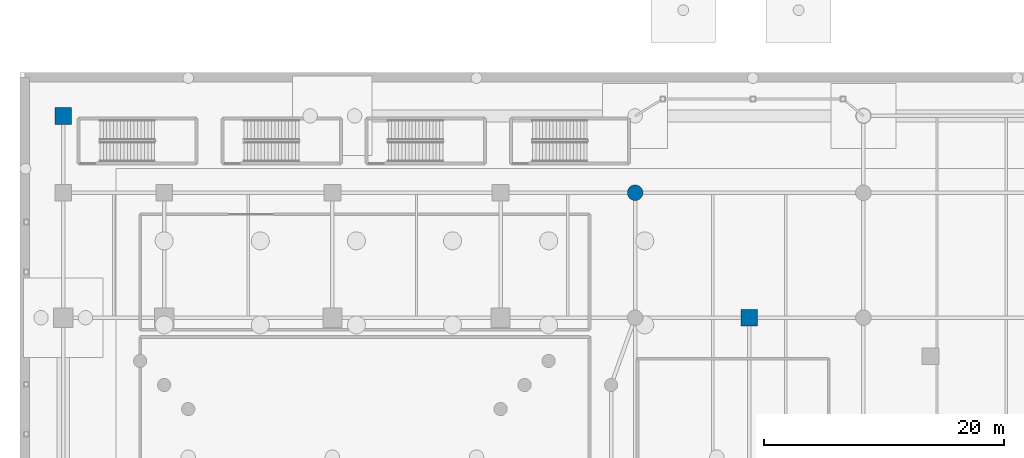
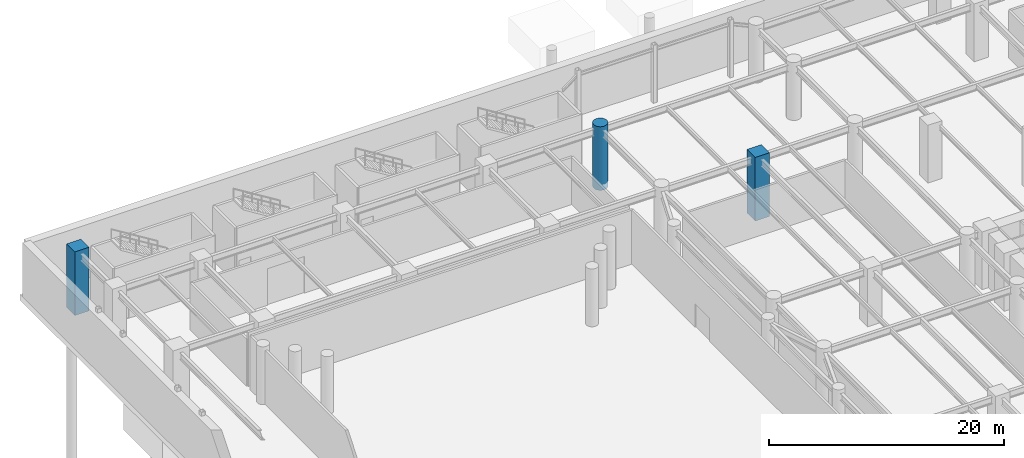
# One storey, part 9 of 37: 3 columns.
"""IFC4 building model written with IfcOpenShell, lengths in metres."""

from ifc_helpers import new_model, si_unit, direction, frame, origin, origin_2d, place, context, subcontext, project, spatial, rectangle, circle, extrude, material, material_profile, profile_set, type_object, element, save


model = new_model("IFC4")

# Units and contexts
model_context = context("Model", 3, precision=1e-05, world=origin(), true_north=direction((0.0, 1.0)))
body_context = subcontext(model_context, "Body", "Model", "MODEL_VIEW")
ifc_project = project(units=[si_unit("LENGTHUNIT", "METRE"), si_unit("AREAUNIT", "SQUARE_METRE"), si_unit("VOLUMEUNIT", "CUBIC_METRE"), si_unit("PLANEANGLEUNIT", "RADIAN"), si_unit("MASSUNIT", "GRAM", prefix="KILO")], contexts=[model_context])

# Site, building, storey
site_placement = place(None, origin())
site = spatial("IfcSite", under=ifc_project, at=site_placement, CompositionType="ELEMENT")
building_placement = place(site_placement, origin())
building = spatial("IfcBuilding", under=site, at=building_placement, Name="Narakoshi Arena Tower", CompositionType="ELEMENT")
storey_placement = place(building_placement, frame((0.0, 0.0, -6.0)))
storey = spatial("IfcBuildingStorey", under=building, at=storey_placement, Name="B01", CompositionType="ELEMENT", Elevation=-6.0)

# Columns
ifc_material = material(Name="Concrete C60/75", Category="concrete")
ifc_material_profile_1 = material_profile(ifc_material, circle(Radius=0.64990234375, at=origin_2d()), Name="RCC1300")
ifc_profile_set_1 = profile_set([ifc_material_profile_1], Name="Concrete C60/75")
column_type_1 = type_object("IfcColumnType", Name="COL-CIR1300", PredefinedType="PILASTER", material=ifc_profile_set_1)
column_placement = place(storey_placement, frame((51.199951171875, 86.0, -0.60009765625), z_axis=(0.0, 0.0, 1.0), x_axis=(1.0, 0.0, 0.0)))
element("IfcColumn", 1, at=column_placement, inside=storey, type_object=column_type_1, Name="B01 Podium Column PC28", PredefinedType="PILASTER", context=body_context, shape_type="SweptSolid", body=[
    extrude(circle(Radius=0.64990234375, at=origin_2d()), origin(), (0.0, 0.0, 1.0), 6.60009765625),
])
ifc_material_profile_2 = material_profile(ifc_material, rectangle(XDim=1.39990234375, YDim=1.39990234375, at=origin_2d()), Name="RC1400x1400")
ifc_profile_set_2 = profile_set([ifc_material_profile_2], Name="Concrete C60/75")
column_type_2 = type_object("IfcColumnType", Name="COL-RC1400", PredefinedType="COLUMN", material=ifc_profile_set_2)
for number, where, z_axis, x_axis, name in (
    (2, (3.60009765625, 92.39990234375, -0.60009765625), (0.0, 0.0, 1.0), (1.0, 0.0, 0.0), "B01 Podium Column PC09"),
    (3, (60.699951171875, 75.60009765625, -0.60009765625), (0.0, 0.0, 1.0), (1.0, 0.0, 0.0), "B01 Podium Column PC32"),
):
    element("IfcColumn", number, at=place(storey_placement, frame(where, z_axis=z_axis, x_axis=x_axis)), inside=storey, type_object=column_type_2, Name=name, PredefinedType="COLUMN", context=body_context, shape_type="SweptSolid", body=[
        extrude(rectangle(XDim=1.39990234375, YDim=1.39990234375, at=origin_2d()), origin(), (0.0, 0.0, 1.0), 6.60009765625),
    ])

save(model, "model.ifc")
